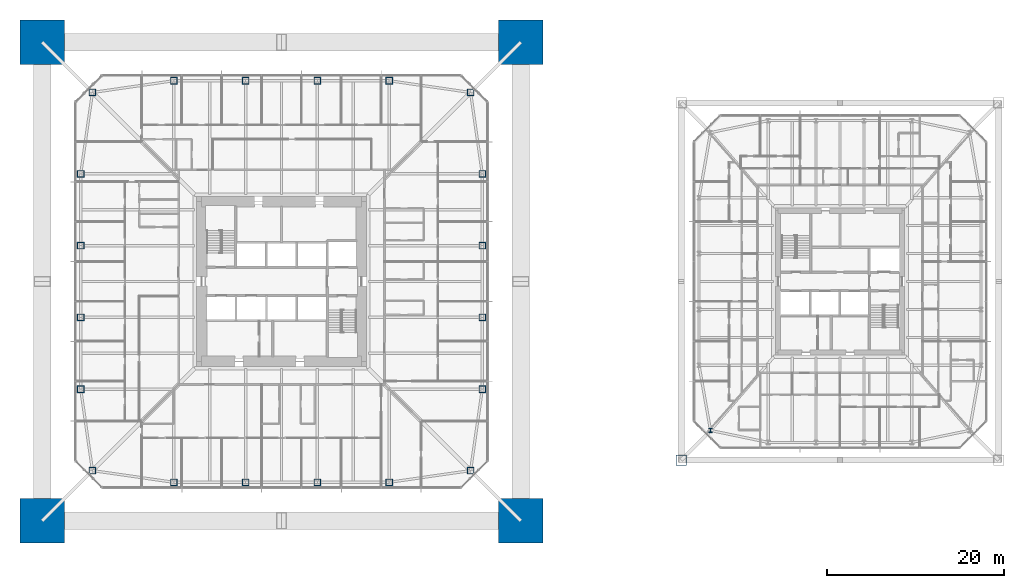
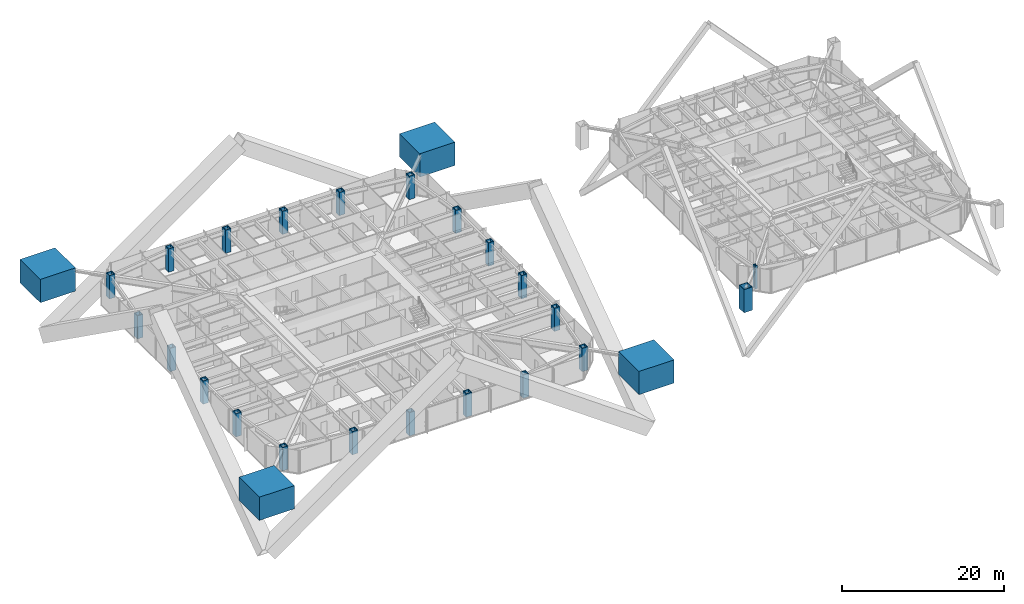
# One storey, part 1 of 28: 26 columns.
"""IFC4 building model written with IfcOpenShell, lengths in metres."""

from ifc_helpers import new_model, si_unit, direction, frame, origin, origin_2d, place, context, subcontext, project, spatial, rectangle, hollow_rectangle, i_section, extrude, material, material_profile, profile_set, type_object, element, save


model = new_model("IFC4")

# Units and contexts
model_context = context("Model", 3, precision=1e-05, world=origin(), true_north=direction((0.0, 1.0)))
body_context = subcontext(model_context, "Body", "Model", "MODEL_VIEW")
ifc_project = project(units=[si_unit("LENGTHUNIT", "METRE"), si_unit("AREAUNIT", "SQUARE_METRE"), si_unit("VOLUMEUNIT", "CUBIC_METRE"), si_unit("PLANEANGLEUNIT", "RADIAN"), si_unit("MASSUNIT", "GRAM", prefix="KILO")], contexts=[model_context])

# Site, building, storey
site_placement = place(None, origin())
site = spatial("IfcSite", under=ifc_project, at=site_placement, CompositionType="ELEMENT")
building_placement = place(site_placement, origin())
building = spatial("IfcBuilding", under=site, at=building_placement, Name="Iwan Alto Co-Living Towers", CompositionType="ELEMENT")
storey_placement = place(building_placement, frame((0.0, 0.0, 43.0)))
storey = spatial("IfcBuildingStorey", under=building, at=storey_placement, Name="L11", CompositionType="ELEMENT", Elevation=43.0)

# Columns
ifc_material_1 = material(Name="Concrete f'c 70 MPa", Category="concrete")
ifc_material_profile_1 = material_profile(ifc_material_1, rectangle(XDim=5.0, YDim=5.0, at=origin_2d()), Name="RC 5000X5000")
ifc_profile_set_1 = profile_set([ifc_material_profile_1], Name="Concrete f'c 70 MPa")
column_type_1 = type_object("IfcColumnType", Name="T1 MEGA COLUMN RC 5000X5000", PredefinedType="COLUMN", material=ifc_profile_set_1)
for number, where, z_axis, x_axis, name in (
    (1, (-27.0, -27.0, 0.0), (0.0, 0.0, 1.0), (1.0, 0.0, 0.0), "T1 mega column SW L11"),
    (2, (27.0, -27.0, 0.0), (0.0, 0.0, 1.0), (1.0, 0.0, 0.0), "T1 mega column SE L11"),
    (3, (27.0, 27.0, 0.0), (0.0, 0.0, 1.0), (1.0, 0.0, 0.0), "T1 mega column NE L11"),
    (4, (-27.0, 27.0, 0.0), (0.0, 0.0, 1.0), (1.0, 0.0, 0.0), "T1 mega column NW L11"),
):
    element("IfcColumn", number, at=place(storey_placement, frame(where, z_axis=z_axis, x_axis=x_axis)), inside=storey, type_object=column_type_1, Name=name, PredefinedType="COLUMN", context=body_context, shape_type="SweptSolid", body=[
        extrude(rectangle(XDim=5.0, YDim=5.0, at=origin_2d()), origin(), (0.0, 0.0, 1.0), 3.5),
        extrude(i_section(OverallWidth=0.4775390625, OverallDepth=0.599365234375, WebThickness=0.10009765625, FlangeThickness=0.139892578125, at=origin_2d()), origin(), (0.0, 0.0, 1.0), 3.5),
    ])
ifc_material_2 = material(Name="Steel ASTM A572 Gr 50", Category="steel")
ifc_material_profile_2 = material_profile(ifc_material_2, hollow_rectangle(XDim=0.800048828125, YDim=0.800048828125, WallThickness=0.090087890625, at=origin_2d()), Name="BOX 800X800X90")
ifc_profile_set_2 = profile_set([ifc_material_profile_2], Name="Steel ASTM A572 Gr 50")
column_type_2 = type_object("IfcColumnType", Name="T1 RING COLUMN BOX 800X800X90", PredefinedType="COLUMN", material=ifc_profile_set_2)
for number, where, z_axis, x_axis, name in (
    (5, (-21.32568359375, -21.32568359375, 0.0), (0.0, 0.0, 1.0), (1.0, 0.0, 0.0), "T1 ring column CSW L11"),
    (6, (-12.14990234375, -22.64990234375, 0.0), (0.0, 0.0, 1.0), (1.0, 0.0, 0.0), "T1 ring column S1 L11"),
    (7, (-4.050048828125, -22.64990234375, 0.0), (0.0, 0.0, 1.0), (1.0, 0.0, 0.0), "T1 ring column S2 L11"),
    (8, (4.050048828125, -22.64990234375, 0.0), (0.0, 0.0, 1.0), (1.0, 0.0, 0.0), "T1 ring column S3 L11"),
    (9, (12.14990234375, -22.64990234375, 0.0), (0.0, 0.0, 1.0), (1.0, 0.0, 0.0), "T1 ring column S4 L11"),
    (10, (21.32568359375, -21.32568359375, 0.0), (0.0, 0.0, 1.0), (1.0, 0.0, 0.0), "T1 ring column CSE L11"),
    (11, (22.64990234375, -12.14990234375, 0.0), (0.0, 0.0, 1.0), (1.0, 0.0, 0.0), "T1 ring column E1 L11"),
    (12, (22.64990234375, -4.050048828125, 0.0), (0.0, 0.0, 1.0), (1.0, 0.0, 0.0), "T1 ring column E2 L11"),
    (13, (22.64990234375, 4.050048828125, 0.0), (0.0, 0.0, 1.0), (1.0, 0.0, 0.0), "T1 ring column E3 L11"),
    (14, (22.64990234375, 12.14990234375, 0.0), (0.0, 0.0, 1.0), (1.0, 0.0, 0.0), "T1 ring column E4 L11"),
    (15, (21.32568359375, 21.32568359375, 0.0), (0.0, 0.0, 1.0), (1.0, 0.0, 0.0), "T1 ring column CNE L11"),
    (16, (12.14990234375, 22.64990234375, 0.0), (0.0, 0.0, 1.0), (1.0, 0.0, 0.0), "T1 ring column N1 L11"),
    (17, (4.050048828125, 22.64990234375, 0.0), (0.0, 0.0, 1.0), (1.0, 0.0, 0.0), "T1 ring column N2 L11"),
    (18, (-4.050048828125, 22.64990234375, 0.0), (0.0, 0.0, 1.0), (1.0, 0.0, 0.0), "T1 ring column N3 L11"),
    (19, (-12.14990234375, 22.64990234375, 0.0), (0.0, 0.0, 1.0), (1.0, 0.0, 0.0), "T1 ring column N4 L11"),
    (20, (-21.32568359375, 21.32568359375, 0.0), (0.0, 0.0, 1.0), (1.0, 0.0, 0.0), "T1 ring column CNW L11"),
    (21, (-22.64990234375, 12.14990234375, 0.0), (0.0, 0.0, 1.0), (1.0, 0.0, 0.0), "T1 ring column W1 L11"),
    (22, (-22.64990234375, 4.050048828125, 0.0), (0.0, 0.0, 1.0), (1.0, 0.0, 0.0), "T1 ring column W2 L11"),
    (23, (-22.64990234375, -4.050048828125, 0.0), (0.0, 0.0, 1.0), (1.0, 0.0, 0.0), "T1 ring column W3 L11"),
    (24, (-22.64990234375, -12.14990234375, 0.0), (0.0, 0.0, 1.0), (1.0, 0.0, 0.0), "T1 ring column W4 L11"),
):
    element("IfcColumn", number, at=place(storey_placement, frame(where, z_axis=z_axis, x_axis=x_axis)), inside=storey, type_object=column_type_2, Name=name, PredefinedType="COLUMN", context=body_context, shape_type="SweptSolid", body=[
        extrude(hollow_rectangle(XDim=0.800048828125, YDim=0.800048828125, WallThickness=0.090087890625, at=origin_2d()), origin(), (0.0, 0.0, 1.0), 3.5),
    ])
ifc_material_3 = material(Name="Steel ASTM A572 Gr 50", Category="steel")
ifc_material_profile_3 = material_profile(ifc_material_3, hollow_rectangle(XDim=1.199951171875, YDim=1.199951171875, WallThickness=0.070068359375, at=origin_2d()), Name="BOX 1200X1200X70")
ifc_profile_set_3 = profile_set([ifc_material_profile_3], Name="Steel ASTM A572 Gr 50")
column_type_3 = type_object("IfcColumnType", Name="T2 MEGA COLUMN BOX 1200X1200X70", PredefinedType="COLUMN", material=ifc_profile_set_3)
column_1_placement = place(storey_placement, frame((45.10009765625, -20.14990234375, 0.0), z_axis=(0.0, 0.0, 1.0), x_axis=(1.0, 0.0, 0.0)))
element("IfcColumn", 25, at=column_1_placement, inside=storey, type_object=column_type_3, Name="T2 mega column SW L11", PredefinedType="COLUMN", context=body_context, shape_type="SweptSolid", body=[
    extrude(hollow_rectangle(XDim=1.199951171875, YDim=1.199951171875, WallThickness=0.070068359375, at=origin_2d()), origin(), (0.0, 0.0, 1.0), 3.5),
])
ifc_material_4 = material(Name="Steel ASTM A992 Gr 50", Category="steel")
ifc_material_profile_4 = material_profile(ifc_material_4, i_section(OverallWidth=0.424072265625, OverallDepth=0.47509765625, WebThickness=0.0478515625, FlangeThickness=0.0771484375, at=origin_2d()), Name="W14X426")
ifc_profile_set_4 = profile_set([ifc_material_profile_4], Name="Steel ASTM A992 Gr 50")
column_type_4 = type_object("IfcColumnType", Name="T2 RING COLUMN W14X426", PredefinedType="COLUMN", material=ifc_profile_set_4)
column_2_placement = place(storey_placement, frame((48.393798828125, -16.797119140625, 0.0), z_axis=(0.0, 0.0, 1.0), x_axis=(1.0, 0.0, 0.0)))
element("IfcColumn", 26, at=column_2_placement, inside=storey, type_object=column_type_4, Name="T2 ring column CSW L11", PredefinedType="COLUMN", context=body_context, shape_type="SweptSolid", body=[
    extrude(i_section(OverallWidth=0.424072265625, OverallDepth=0.47509765625, WebThickness=0.0478515625, FlangeThickness=0.0771484375, at=origin_2d()), origin(), (0.0, 0.0, 1.0), 3.5),
])

save(model, "model.ifc")
